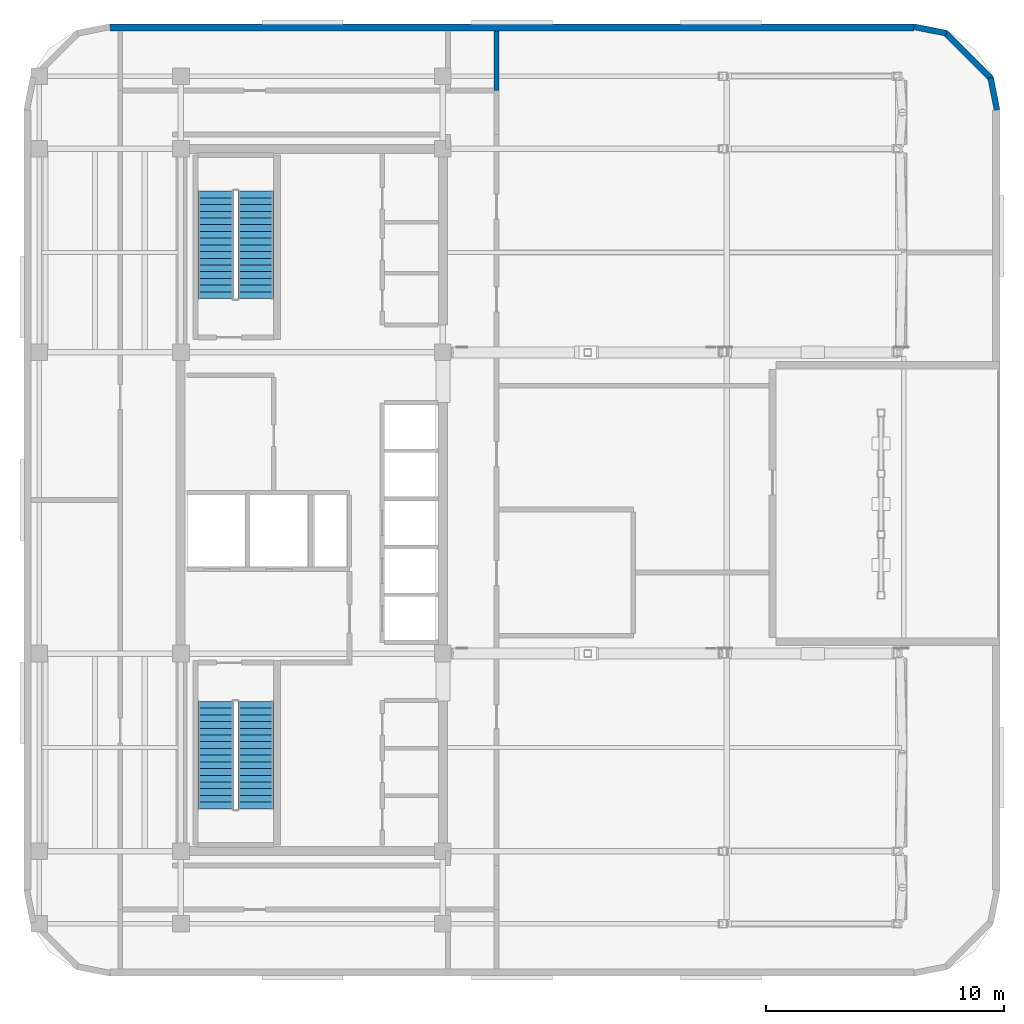
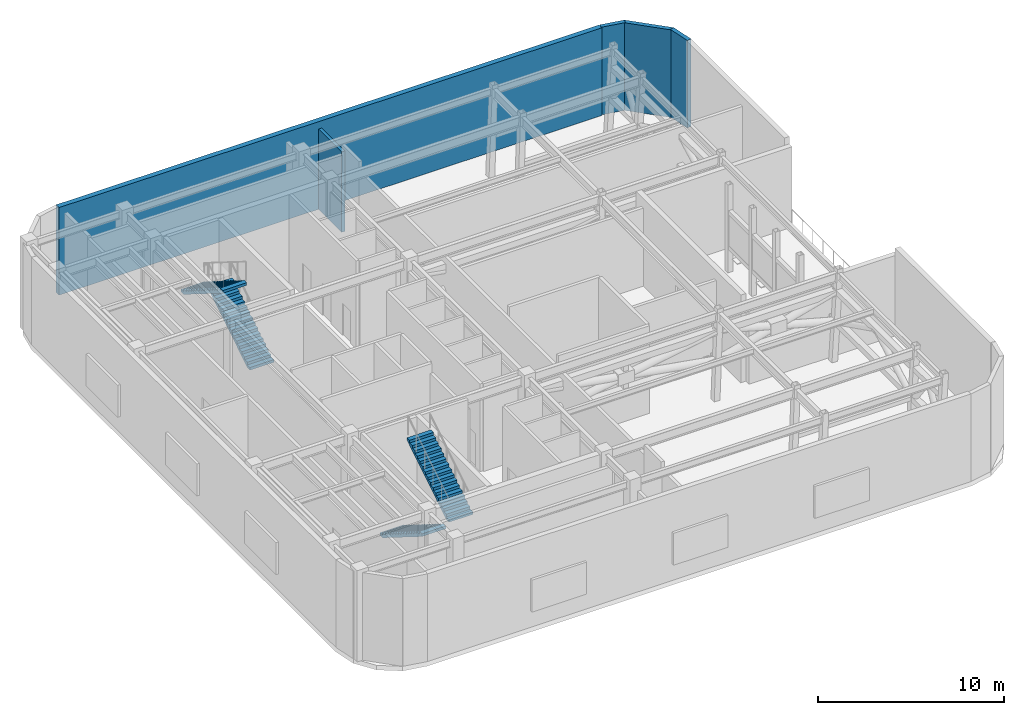
# One storey, part 8 of 12: 5 walls, 4 stair flights, 2 elements without a shape of their own.
"""IFC4 building model written with IfcOpenShell, lengths in metres."""

from ifc_helpers import new_model, si_unit, direction, frame, frame_2d, origin, place, context, subcontext, project, spatial, polyline, rectangle, outline, extrude, material, layer, layer_set, type_object, element, aggregate, save


model = new_model("IFC4")

# Units and contexts
model_context = context("Model", 3, precision=1e-05, world=origin(), true_north=direction((0.0, 1.0)))
body_context = subcontext(model_context, "Body", "Model", "MODEL_VIEW")
ifc_project = project(units=[si_unit("LENGTHUNIT", "METRE"), si_unit("AREAUNIT", "SQUARE_METRE"), si_unit("VOLUMEUNIT", "CUBIC_METRE"), si_unit("PLANEANGLEUNIT", "RADIAN"), si_unit("MASSUNIT", "GRAM", prefix="KILO")], contexts=[model_context])

# Site, building, storey
site_placement = place(None, origin())
site = spatial("IfcSite", under=ifc_project, at=site_placement, CompositionType="ELEMENT")
building_placement = place(site_placement, origin())
building = spatial("IfcBuilding", under=site, at=building_placement, Name="Ochreholt Gables", CompositionType="ELEMENT")
storey_placement = place(building_placement, frame((0.0, 0.0, 199.800048828125)))
storey = spatial("IfcBuildingStorey", under=building, at=storey_placement, Name="L52", CompositionType="ELEMENT", Elevation=199.800048828125)

# Walls
ifc_material_1 = material(Name="Precast concrete 40 MPa", Category="concrete")
ifc_layer_1 = layer(ifc_material_1, 0.25, Name="Precast concrete 40 MPa")
ifc_layer_set_1 = layer_set([ifc_layer_1], Name="Precast concrete 40 MPa")
wall_type_1 = type_object("IfcWallType", Name="WALL-EXT-CNR", PredefinedType="SOLIDWALL", material=ifc_layer_set_1)
wall_1_placement = place(storey_placement, frame((58.475830078125, 40.383544921875, 0.0), z_axis=(0.0, 0.0, 1.0), x_axis=(-0.19496651342, 0.980809899341, 0.0)))
element("IfcWall", 1, at=wall_1_placement, inside=storey, type_object=wall_type_1, Name="L52 Rounded Corner Wall NE-1", PredefinedType="SOLIDWALL", context=body_context, shape_type="SweptSolid", body=[
    extrude(rectangle(XDim=1.388671875, YDim=0.25, at=frame_2d((0.6943359375, 0.0))), origin(), (0.0, 0.0, 1.0), 5.760009765625),
])
wall_2_placement = place(storey_placement, frame((58.23193359375, 41.695068359375, 0.0), z_axis=(0.0, 0.0, 1.0), x_axis=(-0.707106781187, 0.707106781187, 0.0)))
element("IfcWall", 2, at=wall_2_placement, inside=storey, type_object=wall_type_1, Name="L52 Rounded Corner Wall NE-2", PredefinedType="SOLIDWALL", context=body_context, shape_type="SweptSolid", body=[
    extrude(rectangle(XDim=2.7392578125, YDim=0.25, at=frame_2d((1.36962890625, 0.0))), origin(), (0.0, 0.0, 1.0), 5.760009765625),
])
wall_3_placement = place(storey_placement, frame((56.345458984375, 43.60498046875, 0.0), z_axis=(0.0, 0.0, 1.0), x_axis=(-0.980809899341, 0.19496651342, 0.0)))
element("IfcWall", 3, at=wall_3_placement, inside=storey, type_object=wall_type_1, Name="L52 Rounded Corner Wall NE-3", PredefinedType="SOLIDWALL", context=body_context, shape_type="SweptSolid", body=[
    extrude(rectangle(XDim=1.388671875, YDim=0.25, at=frame_2d((0.6943359375, 0.0))), origin(), (0.0, 0.0, 1.0), 5.760009765625),
])
ifc_material_2 = material(Name="Precast concrete 50 MPa", Category="concrete")
ifc_layer_2 = layer(ifc_material_2, 0.31005859375, Name="Precast concrete 50 MPa")
ifc_layer_set_2 = layer_set([ifc_layer_2], Name="Precast concrete 50 MPa")
wall_type_2 = type_object("IfcWallType", Name="WALL-EXT-PLT", PredefinedType="SOLIDWALL", material=ifc_layer_set_2)
wall_4_placement = place(storey_placement, frame((54.97998046875, 43.844970703125, 0.0), z_axis=(0.0, 0.0, 1.0), x_axis=(-1.0, 0.0, 0.0)))
element("IfcWall", 4, at=wall_4_placement, inside=storey, type_object=wall_type_2, Name="L52 North Plant Facade Wall", PredefinedType="SOLIDWALL", context=body_context, shape_type="SweptSolid", body=[
    extrude(rectangle(XDim=33.760009765625, YDim=0.31005859375, at=frame_2d((16.8798828125, 0.0))), origin(), (0.0, 0.0, 1.0), 5.760009765625),
])
ifc_material_3 = material(Name="Concrete 40 MPa", Category="concrete")
ifc_layer_3 = layer(ifc_material_3, 0.199951171875, Name="Concrete 40 MPa")
ifc_layer_set_3 = layer_set([ifc_layer_3], Name="Concrete 40 MPa")
wall_type_3 = type_object("IfcWallType", Name="WALL-INT-CF200", PredefinedType="STANDARD", material=ifc_layer_set_3)
wall_5_placement = place(storey_placement, frame((37.449951171875, 41.199951171875, 0.0), z_axis=(0.0, 0.0, 1.0), x_axis=(0.0, 1.0, 0.0)))
element("IfcWall", 5, at=wall_5_placement, inside=storey, type_object=wall_type_3, Name="L52 Interior Wall WI-PLCEN1-L52", PredefinedType="STANDARD", context=body_context, shape_type="SweptSolid", body=[
    extrude(rectangle(XDim=2.489990234375, YDim=0.199951171875, at=frame_2d((1.2451171875, 0.0))), origin(), (0.0, 0.0, 1.0), 5.279052734375),
])

# Stair, stair flights
stair_type_1 = type_object("IfcStairType", Name="STAIR-CORE-ST-1", PredefinedType="HALF_TURN_STAIR", material=ifc_material_3)
stair_1_placement = place(storey_placement, origin())
stair_1 = element("IfcStair", 6, at=stair_1_placement, inside=storey, type_object=stair_type_1, Name="L52 Core Exit Stair 1", PredefinedType="HALF_TURN_STAIR")
stair_flight_type = type_object("IfcStairFlightType", Name="FLIGHT-ST-1480-1765", PredefinedType="STRAIGHT", material=ifc_material_3)
stair_flight_1_placement = place(storey_placement, frame((25.659912109375, 15.5400390625, 0.0), z_axis=(0.0, 0.0, 1.0), x_axis=(0.0, -1.0, 0.0)))
stair_flight_1 = element("IfcStairFlight", 7, at=stair_flight_1_placement, type_object=stair_flight_type, Name="ST-1 flight 1", NumberOfRisers=17, NumberOfTreads=16, PredefinedType="STRAIGHT", RiserHeight=0.176470588, TreadLength=0.282, context=body_context, shape_type="SweptSolid", body=[
    extrude(outline(polyline([(0.0, 0.0), (0.0, 0.176513671875), (0.281982421875, 0.176513671875), (0.281982421875, 0.35302734375), (0.56396484375, 0.35302734375), (0.56396484375, 0.529296875), (0.845947265625, 0.529296875), (0.845947265625, 0.705810546875), (1.1279296875, 0.705810546875), (1.1279296875, 0.88232421875), (1.409912109375, 0.88232421875), (1.409912109375, 1.058837890625), (1.69189453125, 1.058837890625), (1.69189453125, 1.2353515625), (1.97412109375, 1.2353515625), (1.97412109375, 1.411865234375), (2.256103515625, 1.411865234375), (2.256103515625, 1.588134765625), (2.5380859375, 1.588134765625), (2.5380859375, 1.7646484375), (2.820068359375, 1.7646484375), (2.820068359375, 1.941162109375), (3.10205078125, 1.941162109375), (3.10205078125, 2.11767578125), (3.384033203125, 2.11767578125), (3.384033203125, 2.294189453125), (3.666015625, 2.294189453125), (3.666015625, 2.470703125), (3.947998046875, 2.470703125), (3.947998046875, 2.64697265625), (4.22998046875, 2.64697265625), (4.22998046875, 2.823486328125), (4.511962890625, 2.823486328125), (4.511962890625, 3.0), (4.511962890625, 2.646728515625), (0.282470703125, 0.0), (0.0, 0.0)])), frame((0.0, 0.739990234375, 0.0), z_axis=(0.0, -1.0, 0.0), x_axis=(1.0, 0.0, 0.0)), (0.0, 0.0, 1.0), 1.47998046875),
])
stair_flight_2_placement = place(storey_placement, frame((27.340087890625, 11.028076171875, 3.0), z_axis=(0.0, 0.0, 1.0), x_axis=(0.0, 1.0, 0.0)))
stair_flight_2 = element("IfcStairFlight", 8, at=stair_flight_2_placement, type_object=stair_flight_type, Name="ST-1 flight 2", NumberOfRisers=17, NumberOfTreads=16, PredefinedType="STRAIGHT", RiserHeight=0.176470588, TreadLength=0.282, context=body_context, shape_type="SweptSolid", body=[
    extrude(outline(polyline([(0.0, 0.0), (0.0, 0.176513671875), (0.281982421875, 0.176513671875), (0.281982421875, 0.35302734375), (0.56396484375, 0.35302734375), (0.56396484375, 0.529296875), (0.845947265625, 0.529296875), (0.845947265625, 0.705810546875), (1.1279296875, 0.705810546875), (1.1279296875, 0.88232421875), (1.409912109375, 0.88232421875), (1.409912109375, 1.058837890625), (1.69189453125, 1.058837890625), (1.69189453125, 1.2353515625), (1.97412109375, 1.2353515625), (1.97412109375, 1.411865234375), (2.256103515625, 1.411865234375), (2.256103515625, 1.588134765625), (2.5380859375, 1.588134765625), (2.5380859375, 1.7646484375), (2.820068359375, 1.7646484375), (2.820068359375, 1.941162109375), (3.10205078125, 1.941162109375), (3.10205078125, 2.11767578125), (3.384033203125, 2.11767578125), (3.384033203125, 2.294189453125), (3.666015625, 2.294189453125), (3.666015625, 2.470703125), (3.947998046875, 2.470703125), (3.947998046875, 2.64697265625), (4.22998046875, 2.64697265625), (4.22998046875, 2.823486328125), (4.511962890625, 2.823486328125), (4.511962890625, 3.0), (4.511962890625, 2.646728515625), (0.282470703125, 0.0), (0.0, 0.0)])), frame((0.0, 0.739990234375, 0.0), z_axis=(0.0, -1.0, 0.0), x_axis=(1.0, 0.0, 0.0)), (0.0, 0.0, 1.0), 1.47998046875),
])
aggregate(stair_1, [stair_flight_1, stair_flight_2])

stair_type_2 = type_object("IfcStairType", Name="STAIR-CORE-ST-2", PredefinedType="HALF_TURN_STAIR", material=ifc_material_3)
stair_2_placement = place(storey_placement, origin())
stair_2 = element("IfcStair", 9, at=stair_2_placement, inside=storey, type_object=stair_type_2, Name="L52 Core Exit Stair 2", PredefinedType="HALF_TURN_STAIR")
stair_flight_3_placement = place(storey_placement, frame((27.340087890625, 32.4599609375, 0.0), z_axis=(0.0, 0.0, 1.0), x_axis=(0.0, 1.0, 0.0)))
stair_flight_3 = element("IfcStairFlight", 10, at=stair_flight_3_placement, type_object=stair_flight_type, Name="ST-2 flight 1", NumberOfRisers=17, NumberOfTreads=16, PredefinedType="STRAIGHT", RiserHeight=0.176470588, TreadLength=0.282, context=body_context, shape_type="SweptSolid", body=[
    extrude(outline(polyline([(0.0, 0.0), (0.0, 0.176513671875), (0.281982421875, 0.176513671875), (0.281982421875, 0.35302734375), (0.56396484375, 0.35302734375), (0.56396484375, 0.529296875), (0.845947265625, 0.529296875), (0.845947265625, 0.705810546875), (1.1279296875, 0.705810546875), (1.1279296875, 0.88232421875), (1.409912109375, 0.88232421875), (1.409912109375, 1.058837890625), (1.69189453125, 1.058837890625), (1.69189453125, 1.2353515625), (1.97412109375, 1.2353515625), (1.97412109375, 1.411865234375), (2.256103515625, 1.411865234375), (2.256103515625, 1.588134765625), (2.5380859375, 1.588134765625), (2.5380859375, 1.7646484375), (2.820068359375, 1.7646484375), (2.820068359375, 1.941162109375), (3.10205078125, 1.941162109375), (3.10205078125, 2.11767578125), (3.384033203125, 2.11767578125), (3.384033203125, 2.294189453125), (3.666015625, 2.294189453125), (3.666015625, 2.470703125), (3.947998046875, 2.470703125), (3.947998046875, 2.64697265625), (4.22998046875, 2.64697265625), (4.22998046875, 2.823486328125), (4.511962890625, 2.823486328125), (4.511962890625, 3.0), (4.511962890625, 2.646728515625), (0.282470703125, 0.0), (0.0, 0.0)])), frame((0.0, 0.739990234375, 0.0), z_axis=(0.0, -1.0, 0.0), x_axis=(1.0, 0.0, 0.0)), (0.0, 0.0, 1.0), 1.47998046875),
])
stair_flight_4_placement = place(storey_placement, frame((25.659912109375, 36.971923828125, 3.0), z_axis=(0.0, 0.0, 1.0), x_axis=(0.0, -1.0, 0.0)))
stair_flight_4 = element("IfcStairFlight", 11, at=stair_flight_4_placement, type_object=stair_flight_type, Name="ST-2 flight 2", NumberOfRisers=17, NumberOfTreads=16, PredefinedType="STRAIGHT", RiserHeight=0.176470588, TreadLength=0.282, context=body_context, shape_type="SweptSolid", body=[
    extrude(outline(polyline([(0.0, 0.0), (0.0, 0.176513671875), (0.281982421875, 0.176513671875), (0.281982421875, 0.35302734375), (0.56396484375, 0.35302734375), (0.56396484375, 0.529296875), (0.845947265625, 0.529296875), (0.845947265625, 0.705810546875), (1.1279296875, 0.705810546875), (1.1279296875, 0.88232421875), (1.409912109375, 0.88232421875), (1.409912109375, 1.058837890625), (1.69189453125, 1.058837890625), (1.69189453125, 1.2353515625), (1.97412109375, 1.2353515625), (1.97412109375, 1.411865234375), (2.256103515625, 1.411865234375), (2.256103515625, 1.588134765625), (2.5380859375, 1.588134765625), (2.5380859375, 1.7646484375), (2.820068359375, 1.7646484375), (2.820068359375, 1.941162109375), (3.10205078125, 1.941162109375), (3.10205078125, 2.11767578125), (3.384033203125, 2.11767578125), (3.384033203125, 2.294189453125), (3.666015625, 2.294189453125), (3.666015625, 2.470703125), (3.947998046875, 2.470703125), (3.947998046875, 2.64697265625), (4.22998046875, 2.64697265625), (4.22998046875, 2.823486328125), (4.511962890625, 2.823486328125), (4.511962890625, 3.0), (4.511962890625, 2.646728515625), (0.282470703125, 0.0), (0.0, 0.0)])), frame((0.0, 0.739990234375, 0.0), z_axis=(0.0, -1.0, 0.0), x_axis=(1.0, 0.0, 0.0)), (0.0, 0.0, 1.0), 1.47998046875),
])
aggregate(stair_2, [stair_flight_3, stair_flight_4])

save(model, "model.ifc")
